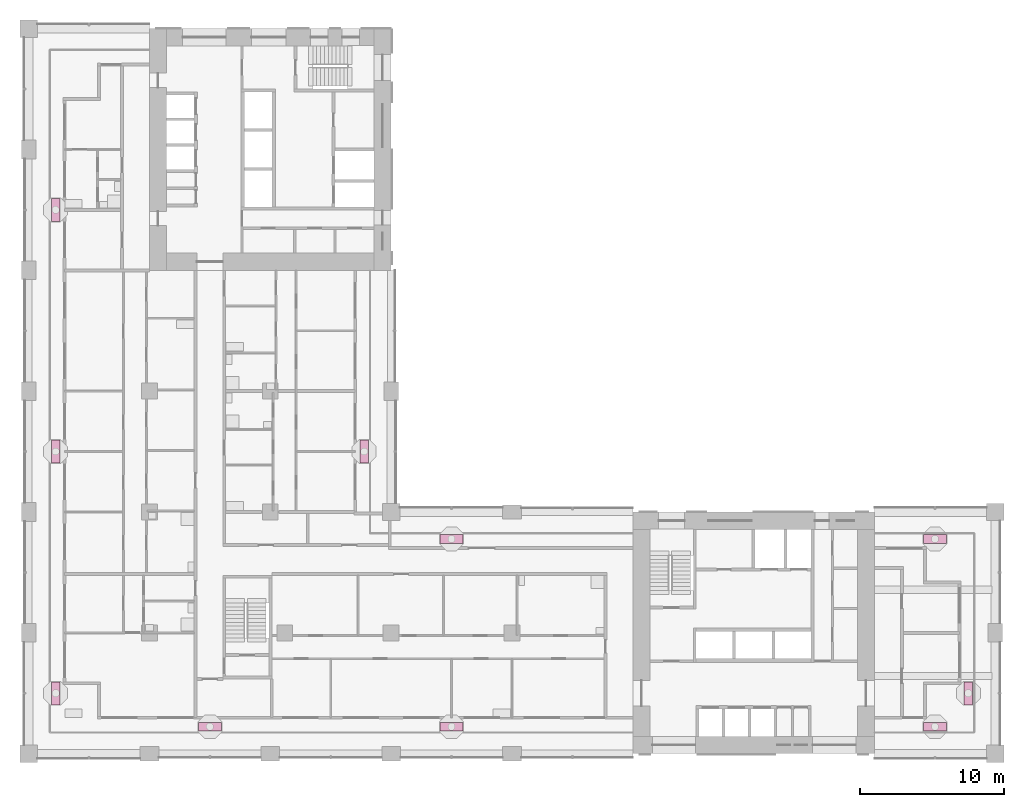
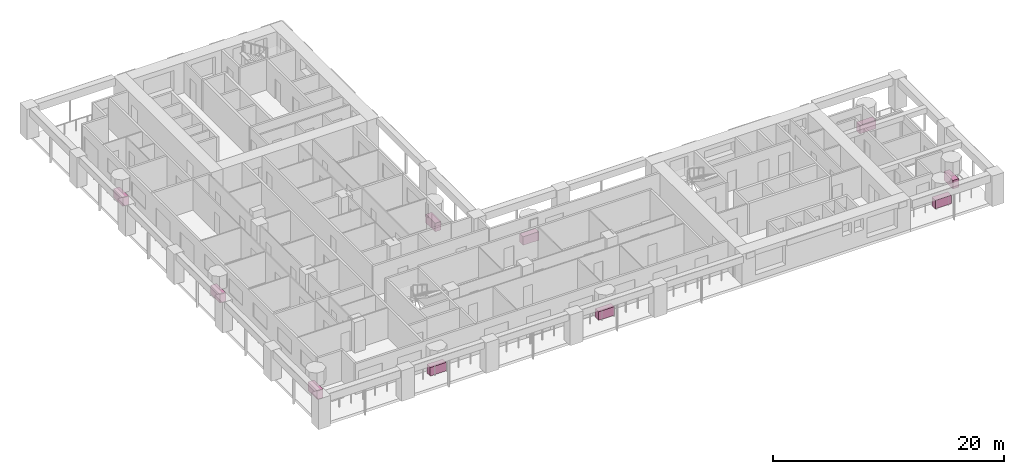
# One storey, part 17 of 18: 10 furniture elements.
"""IFC4 building model written with IfcOpenShell, lengths in metres."""

from ifc_helpers import new_model, si_unit, direction, frame, origin, origin_2d, place, context, subcontext, project, spatial, rectangle, extrude, material, element, save


model = new_model("IFC4")

# Units and contexts
model_context = context("Model", 3, precision=1e-05, world=origin(), true_north=direction((0.0, 1.0)))
body_context = subcontext(model_context, "Body", "Model", "MODEL_VIEW")
ifc_project = project(units=[si_unit("LENGTHUNIT", "METRE"), si_unit("AREAUNIT", "SQUARE_METRE"), si_unit("VOLUMEUNIT", "CUBIC_METRE"), si_unit("PLANEANGLEUNIT", "RADIAN"), si_unit("MASSUNIT", "GRAM", prefix="KILO")], contexts=[model_context])

# Site, building, storey
site_placement = place(None, origin())
site = spatial("IfcSite", under=ifc_project, at=site_placement, CompositionType="ELEMENT")
building_placement = place(site_placement, origin())
building = spatial("IfcBuilding", under=site, at=building_placement, Name="Vermilion Gate Residences", CompositionType="ELEMENT")
storey_placement = place(building_placement, frame((0.0, 0.0, 88.199951171875)))
storey = spatial("IfcBuildingStorey", under=building, at=storey_placement, Name="L21", CompositionType="ELEMENT", Elevation=88.199951171875)

# Furniture
ifc_material = material(Name="Terracotta planter", Category="masonry")
for number, where, z_axis, x_axis, name in (
    (1, (12.60009765625, 10.27490234375, 0.0), (0.0, 0.0, 1.0), (1.0, 0.0, 0.0), "PLANTER"),
    (2, (29.39990234375, 10.27490234375, 0.0), (0.0, 0.0, 1.0), (1.0, 0.0, 0.0), "PLANTER"),
    (3, (63.0, 10.27490234375, 0.0), (0.0, 0.0, 1.0), (1.0, 0.0, 0.0), "PLANTER"),
    (4, (65.324951171875, 12.60009765625, 0.0), (0.0, 0.0, 1.0), (0.0, 1.0, 0.0), "PLANTER"),
    (5, (29.39990234375, 23.324951171875, 0.0), (0.0, 0.0, 1.0), (-1.0, 0.0, 0.0), "PLANTER"),
    (6, (63.0, 23.324951171875, 0.0), (0.0, 0.0, 1.0), (-1.0, 0.0, 0.0), "PLANTER"),
    (7, (23.324951171875, 29.39990234375, 0.0), (0.0, 0.0, 1.0), (0.0, 1.0, 0.0), "PLANTER"),
    (8, (1.875, 12.60009765625, 0.0), (0.0, 0.0, 1.0), (0.0, -1.0, 0.0), "PLANTER"),
    (9, (1.875, 29.39990234375, 0.0), (0.0, 0.0, 1.0), (0.0, -1.0, 0.0), "PLANTER"),
    (10, (1.875, 46.199951171875, 0.0), (0.0, 0.0, 1.0), (0.0, -1.0, 0.0), "PLANTER"),
):
    element("IfcFurniture", number, at=place(storey_placement, frame(where, z_axis=z_axis, x_axis=x_axis)), inside=storey, material=ifc_material, Name=name, ObjectType="PLANTER", PredefinedType="USERDEFINED", context=body_context, shape_type="SweptSolid", body=[
        extrude(rectangle(XDim=1.60009765625, YDim=0.60009765625, at=origin_2d()), origin(), (0.0, 0.0, 1.0), 0.89990234375),
    ])

save(model, "model.ifc")
